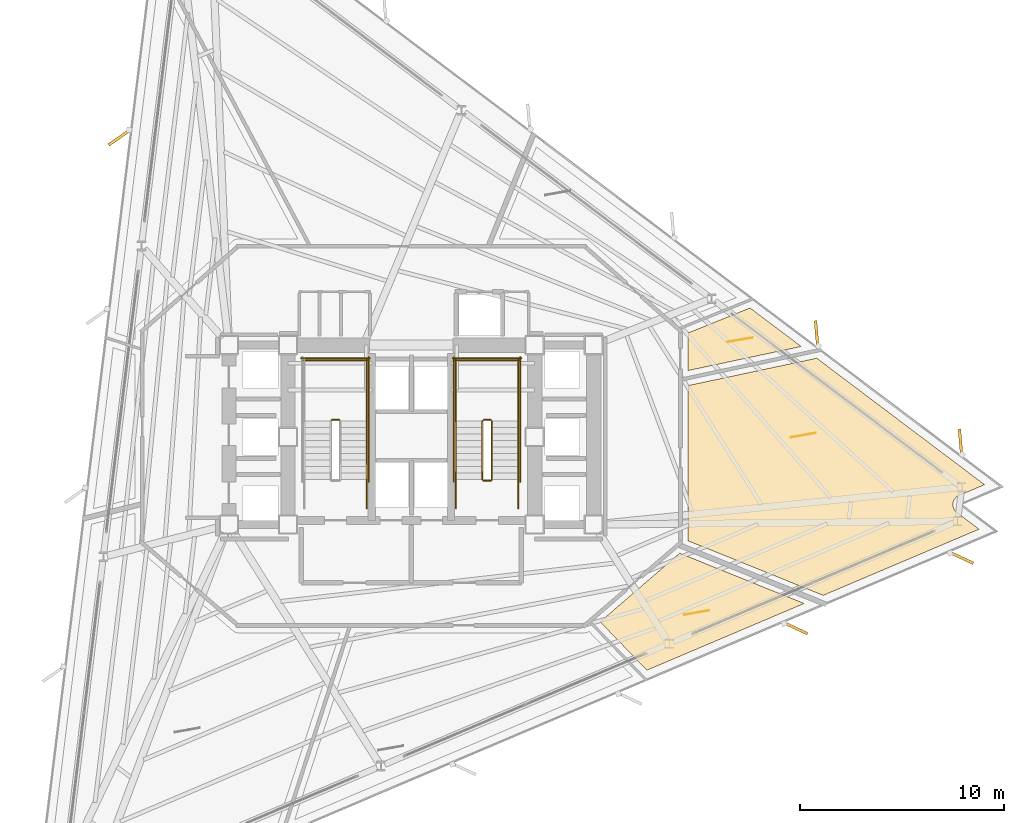
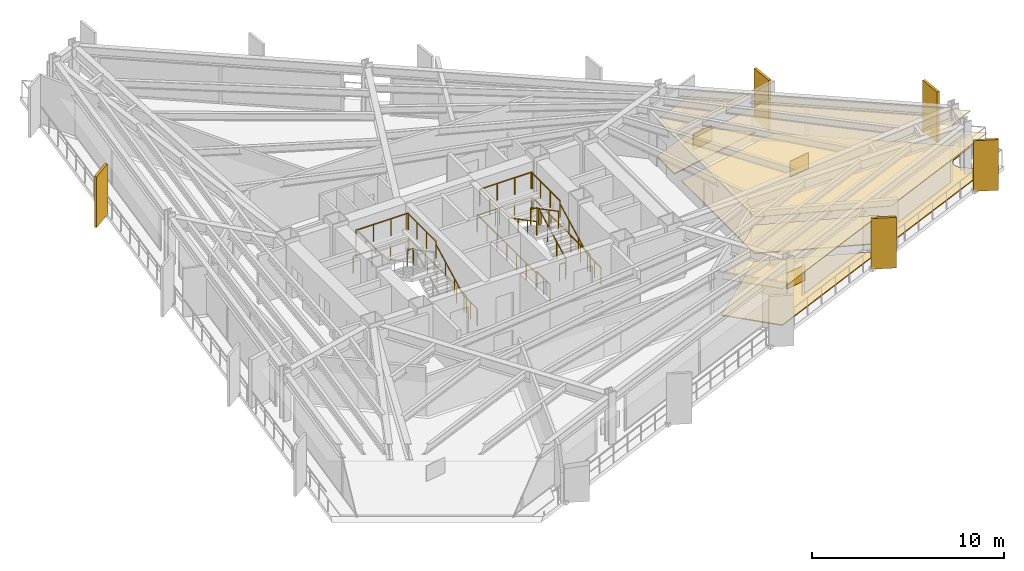
# One storey, part 12 of 13: 21 railings, 9 coverings, 5 shading devices.
"""IFC4 building model written with IfcOpenShell, lengths in metres."""

from ifc_helpers import new_model, si_unit, direction, frame, origin, origin_2d, place, context, subcontext, project, spatial, polyline, rectangle, outline, extrude, material, layer, layer_set, type_object, element, save


model = new_model("IFC4")

# Units and contexts
model_context = context("Model", 3, precision=1e-05, world=origin(), true_north=direction((0.0, 1.0)))
body_context = subcontext(model_context, "Body", "Model", "MODEL_VIEW")
ifc_project = project(units=[si_unit("LENGTHUNIT", "METRE"), si_unit("AREAUNIT", "SQUARE_METRE"), si_unit("VOLUMEUNIT", "CUBIC_METRE"), si_unit("PLANEANGLEUNIT", "RADIAN"), si_unit("MASSUNIT", "GRAM", prefix="KILO")], contexts=[model_context])

# Site, building, storey
site_placement = place(None, origin())
site = spatial("IfcSite", under=ifc_project, at=site_placement, CompositionType="ELEMENT")
building_placement = place(site_placement, origin())
building = spatial("IfcBuilding", under=site, at=building_placement, Name="Rocaltana Carrier Exchange", CompositionType="ELEMENT")
storey_placement = place(building_placement, frame((0.0, 0.0, 52.9599609375)))
storey = spatial("IfcBuildingStorey", under=building, at=storey_placement, Name="L16", CompositionType="ELEMENT", Elevation=52.9599609375)

# Coverings
ifc_material_1 = material(Name="Calcium Sulphate & Aluminium Pedestal", Category="aluminium")
ifc_layer_1 = layer(ifc_material_1, 0.06005859375)
ifc_layer_set_1 = layer_set([ifc_layer_1], Name="Calcium Sulphate & Aluminium Pedestal")
covering_type_1 = type_object("IfcCoveringType", Name="Anti-Static Raised Exchange Access Floor 60", PredefinedType="FLOORING", material=ifc_layer_set_1)
covering_1_placement = place(storey_placement, origin())
element("IfcCovering", 1, at=covering_1_placement, inside=storey, type_object=covering_type_1, Name="L16 Network Engineering Studio Finish Floor", PredefinedType="FLOORING", context=body_context, shape_type="SweptSolid", body=[
    extrude(outline(polyline([(11.553955078125, -11.4462890625), (9.259765625, -9.070556640625), (13.16357421875, -5.706787109375), (19.266357421875, -8.17236328125), (11.553955078125, -11.4462890625)])), origin(), (0.0, 0.0, 1.0), 0.06005859375),
])
covering_2_placement = place(storey_placement, origin())
element("IfcCovering", 2, at=covering_2_placement, inside=storey, type_object=covering_type_1, Name="L16 Peering Conference Room Finish Floor", PredefinedType="FLOORING", context=body_context, shape_type="SweptSolid", body=[
    extrude(outline(polyline([(13.56005859375, -5.09033203125), (13.56005859375, 2.51416015625), (19.8876953125, 3.859130859375), (28.1201171875, -2.344482421875), (26.860107421875, -2.87939453125), (26.847412109375, -2.885009765625), (26.82958984375, -2.893798828125), (26.80517578125, -2.906982421875), (26.7880859375, -2.91748046875), (26.76513671875, -2.933349609375), (26.749267578125, -2.9453125), (26.727783203125, -2.96337890625), (26.71337890625, -2.97705078125), (26.69384765625, -2.9970703125), (26.6806640625, -3.01220703125), (26.663330078125, -3.033935546875), (26.65185546875, -3.050048828125), (26.63671875, -3.073486328125), (26.626708984375, -3.0908203125), (26.614013671875, -3.11572265625), (26.60595703125, -3.134033203125), (26.595703125, -3.159912109375), (26.589599609375, -3.178955078125), (26.58203125, -3.205810546875), (26.57763671875, -3.225341796875), (26.57275390625, -3.252685546875), (26.5703125, -3.2724609375), (26.568359375, -3.30029296875), (26.56787109375, -3.3203125), (26.568603515625, -3.34814453125), (26.5703125, -3.3681640625), (26.57373046875, -3.395751953125), (26.577392578125, -3.415283203125), (26.58349609375, -3.442626953125), (26.589111328125, -3.4619140625), (26.597900390625, -3.48828125), (26.605224609375, -3.5068359375), (26.616943359375, -3.5322265625), (26.6259765625, -3.5498046875), (26.639892578125, -3.573974609375), (26.65087890625, -3.5908203125), (26.667236328125, -3.61328125), (26.6796875, -3.62890625), (26.6982421875, -3.64990234375), (26.712158203125, -3.6640625), (26.732666015625, -3.68310546875), (26.748046875, -3.69580078125), (26.7587890625, -3.70458984375), (27.851806640625, -4.528076171875), (20.20361328125, -7.7744140625), (13.56005859375, -5.09033203125)])), origin(), (0.0, 0.0, 1.0), 0.06005859375),
])
covering_3_placement = place(storey_placement, origin())
element("IfcCovering", 3, at=covering_3_placement, inside=storey, type_object=covering_type_1, Name="L16 Protocol Calibration Laboratory Finish Floor", PredefinedType="FLOORING", context=body_context, shape_type="SweptSolid", body=[
    extrude(outline(polyline([(13.56005859375, 5.09033203125), (16.615478515625, 6.32470703125), (19.125732421875, 4.433349609375), (13.56005859375, 3.250244140625), (13.56005859375, 5.09033203125)])), origin(), (0.0, 0.0, 1.0), 0.06005859375),
])
ifc_material_2 = material(Name="Mineral Fibre & Powder-Coated Aluminium", Category="aluminium")
ifc_layer_2 = layer(ifc_material_2, 0.044921875)
ifc_layer_set_2 = layer_set([ifc_layer_2], Name="Mineral Fibre & Powder-Coated Aluminium")
covering_type_2 = type_object("IfcCoveringType", Name="Micro-Perforated Acoustic Ceiling 45", PredefinedType="CEILING", material=ifc_layer_set_2)
covering_4_placement = place(storey_placement, frame((0.0, 0.0, 2.322998046875)))
element("IfcCovering", 4, at=covering_4_placement, inside=storey, type_object=covering_type_2, Name="L16 Network Engineering Studio Acoustic Ceiling", PredefinedType="CEILING", context=body_context, shape_type="SweptSolid", body=[
    extrude(outline(polyline([(11.553955078125, -11.4462890625), (9.259765625, -9.070556640625), (13.16357421875, -5.706787109375), (19.266357421875, -8.17236328125), (11.553955078125, -11.4462890625)])), origin(), (0.0, 0.0, 1.0), 0.044921875),
])
covering_5_placement = place(storey_placement, frame((0.0, 0.0, 2.322998046875)))
element("IfcCovering", 5, at=covering_5_placement, inside=storey, type_object=covering_type_2, Name="L16 Peering Conference Room Acoustic Ceiling", PredefinedType="CEILING", context=body_context, shape_type="SweptSolid", body=[
    extrude(outline(polyline([(13.56005859375, -5.09033203125), (13.56005859375, 2.51416015625), (19.8876953125, 3.859130859375), (28.1201171875, -2.344482421875), (26.860107421875, -2.87939453125), (26.847412109375, -2.885009765625), (26.82958984375, -2.893798828125), (26.80517578125, -2.906982421875), (26.7880859375, -2.91748046875), (26.76513671875, -2.933349609375), (26.749267578125, -2.9453125), (26.727783203125, -2.96337890625), (26.71337890625, -2.97705078125), (26.69384765625, -2.9970703125), (26.6806640625, -3.01220703125), (26.663330078125, -3.033935546875), (26.65185546875, -3.050048828125), (26.63671875, -3.073486328125), (26.626708984375, -3.0908203125), (26.614013671875, -3.11572265625), (26.60595703125, -3.134033203125), (26.595703125, -3.159912109375), (26.589599609375, -3.178955078125), (26.58203125, -3.205810546875), (26.57763671875, -3.225341796875), (26.57275390625, -3.252685546875), (26.5703125, -3.2724609375), (26.568359375, -3.30029296875), (26.56787109375, -3.3203125), (26.568603515625, -3.34814453125), (26.5703125, -3.3681640625), (26.57373046875, -3.395751953125), (26.577392578125, -3.415283203125), (26.58349609375, -3.442626953125), (26.589111328125, -3.4619140625), (26.597900390625, -3.48828125), (26.605224609375, -3.5068359375), (26.616943359375, -3.5322265625), (26.6259765625, -3.5498046875), (26.639892578125, -3.573974609375), (26.65087890625, -3.5908203125), (26.667236328125, -3.61328125), (26.6796875, -3.62890625), (26.6982421875, -3.64990234375), (26.712158203125, -3.6640625), (26.732666015625, -3.68310546875), (26.748046875, -3.69580078125), (26.7587890625, -3.70458984375), (27.851806640625, -4.528076171875), (20.20361328125, -7.7744140625), (13.56005859375, -5.09033203125)])), origin(), (0.0, 0.0, 1.0), 0.044921875),
])
covering_6_placement = place(storey_placement, frame((0.0, 0.0, 2.322998046875)))
element("IfcCovering", 6, at=covering_6_placement, inside=storey, type_object=covering_type_2, Name="L16 Protocol Calibration Laboratory Acoustic Ceiling", PredefinedType="CEILING", context=body_context, shape_type="SweptSolid", body=[
    extrude(outline(polyline([(13.56005859375, 5.09033203125), (16.615478515625, 6.32470703125), (19.125732421875, 4.433349609375), (13.56005859375, 3.250244140625), (13.56005859375, 5.09033203125)])), origin(), (0.0, 0.0, 1.0), 0.044921875),
])

# Railings
ifc_material_3 = material(Name="Brushed Architectural Stainless Tube", Category="steel")
ifc_layer_3 = layer(ifc_material_3, 0.048095703125)
ifc_layer_set_3 = layer_set([ifc_layer_3], Name="Brushed Architectural Stainless Tube")
railing_type_1 = type_object("IfcRailingType", Name="Stair Wall Handrail 920", PredefinedType="HANDRAIL", material=ifc_layer_set_3)
for number, where, name in (
    (7, (-2.18994140625, -2.10009765625, 0.16796875), "L16 ST-1 stair handrail 1"),
    (8, (5.25, -2.10009765625, 0.16796875), "L16 ST-2 stair handrail 1"),
):
    element("IfcRailing", number, at=place(storey_placement, frame(where)), inside=storey, type_object=railing_type_1, Name=name, PredefinedType="HANDRAIL", context=body_context, shape_type="SweptSolid", body=[
        extrude(rectangle(XDim=0.048095703125, YDim=0.048095703125, at=origin_2d()), frame((0.0, 0.0, 0.8759765625), z_axis=(0.0, 0.885411030485, 0.464808893091), x_axis=(-1.0, 0.0, 0.0)), (0.0, 0.0, 1.0), 3.2529296875),
        extrude(rectangle(XDim=0.0419921875, YDim=0.0419921875, at=origin_2d()), origin(), (0.0, 0.0, 1.0), 0.851806640625),
        extrude(rectangle(XDim=0.0419921875, YDim=0.0419921875, at=origin_2d()), frame((0.0, 0.9599609375, 0.50390625)), (0.0, 0.0, 1.0), 0.851806640625),
        extrude(rectangle(XDim=0.0419921875, YDim=0.0419921875, at=origin_2d()), frame((0.0, 1.920166015625, 1.008056640625)), (0.0, 0.0, 1.0), 0.851806640625),
        extrude(rectangle(XDim=0.0419921875, YDim=0.0419921875, at=origin_2d()), frame((0.0, 2.880126953125, 1.511962890625)), (0.0, 0.0, 1.0), 0.851806640625),
    ])
railing_1_placement = place(storey_placement, frame((2.18994140625, 0.780029296875, 1.84814453125)))
element("IfcRailing", 9, at=railing_1_placement, inside=storey, type_object=railing_type_1, Name="L16 ST-2 stair handrail 2", PredefinedType="HANDRAIL", context=body_context, shape_type="SweptSolid", body=[
    extrude(rectangle(XDim=0.048095703125, YDim=0.048095703125, at=origin_2d()), frame((0.0, 0.0, 0.8759765625), z_axis=(0.0, -0.885411030485, 0.464808893091), x_axis=(1.0, 0.0, 0.0)), (0.0, 0.0, 1.0), 3.2529296875),
    extrude(rectangle(XDim=0.0419921875, YDim=0.0419921875, at=origin_2d()), origin(), (0.0, 0.0, 1.0), 0.851806640625),
    extrude(rectangle(XDim=0.0419921875, YDim=0.0419921875, at=origin_2d()), frame((0.0, -0.9599609375, 0.50390625)), (0.0, 0.0, 1.0), 0.851806640625),
    extrude(rectangle(XDim=0.0419921875, YDim=0.0419921875, at=origin_2d()), frame((0.0, -1.920166015625, 1.008056640625)), (0.0, 0.0, 1.0), 0.851806640625),
    extrude(rectangle(XDim=0.0419921875, YDim=0.0419921875, at=origin_2d()), frame((0.0, -2.880126953125, 1.511962890625)), (0.0, 0.0, 1.0), 0.851806640625),
])
ifc_material_4 = material(Name="Powder-Coated Aluminium 6063-T6", Category="aluminium")
ifc_layer_4 = layer(ifc_material_4, 0.048095703125)
ifc_layer_set_4 = layer_set([ifc_layer_4], Name="Powder-Coated Aluminium 6063-T6")
railing_type_2 = type_object("IfcRailingType", Name="Stair Well Guardrail 1100", PredefinedType="GUARDRAIL", material=ifc_layer_set_4)
railing_2_placement = place(storey_placement, frame((-3.5400390625, 0.830078125, 1.679931640625)))
element("IfcRailing", 10, at=railing_2_placement, inside=storey, type_object=railing_type_2, Name="L16 ST-1 stair guard 2", PredefinedType="GUARDRAIL", context=body_context, shape_type="SweptSolid", body=[
    extrude(rectangle(XDim=0.048095703125, YDim=0.048095703125, at=origin_2d()), frame((0.0, 0.0, 1.076171875), z_axis=(-1.0, 0.0, 0.0), x_axis=(0.0, -1.0, 0.0)), (0.0, 0.0, 1.0), 0.35986328125),
    extrude(rectangle(XDim=0.0419921875, YDim=0.0419921875, at=origin_2d()), origin(), (0.0, 0.0, 1.0), 1.052001953125),
    extrude(rectangle(XDim=0.0419921875, YDim=0.0419921875, at=origin_2d()), frame((-0.35986328125, 0.0, 0.0)), (0.0, 0.0, 1.0), 1.052001953125),
])
railing_3_placement = place(storey_placement, frame((-2.18994140625, 0.780029296875, 1.679931640625)))
element("IfcRailing", 11, at=railing_3_placement, inside=storey, type_object=railing_type_2, Name="L16 ST-1 stair guard 3", PredefinedType="GUARDRAIL", context=body_context, shape_type="SweptSolid", body=[
    extrude(rectangle(XDim=0.048095703125, YDim=0.048095703125, at=origin_2d()), frame((0.0, 0.0, 1.076171875), z_axis=(0.0, 1.0, 0.0), x_axis=(-1.0, 0.0, 0.0)), (0.0, 0.0, 1.0), 3.02001953125),
    extrude(rectangle(XDim=0.0419921875, YDim=0.0419921875, at=origin_2d()), origin(), (0.0, 0.0, 1.0), 1.052001953125),
    extrude(rectangle(XDim=0.0419921875, YDim=0.0419921875, at=origin_2d()), frame((0.0, 1.006591796875, 0.0)), (0.0, 0.0, 1.0), 1.052001953125),
    extrude(rectangle(XDim=0.0419921875, YDim=0.0419921875, at=origin_2d()), frame((0.0, 2.013427734375, 0.0)), (0.0, 0.0, 1.0), 1.052001953125),
    extrude(rectangle(XDim=0.0419921875, YDim=0.0419921875, at=origin_2d()), frame((0.0, 3.02001953125, 0.0)), (0.0, 0.0, 1.0), 1.052001953125),
])
railing_4_placement = place(storey_placement, frame((-2.139892578125, 3.75, 1.679931640625)))
element("IfcRailing", 12, at=railing_4_placement, inside=storey, type_object=railing_type_2, Name="L16 ST-1 stair guard 5", PredefinedType="GUARDRAIL", context=body_context, shape_type="SweptSolid", body=[
    extrude(rectangle(XDim=0.048095703125, YDim=0.048095703125, at=origin_2d()), frame((0.0, 0.0, 1.076171875), z_axis=(-1.0, 0.0, 0.0), x_axis=(0.0, -1.0, 0.0)), (0.0, 0.0, 1.0), 3.16015625),
    extrude(rectangle(XDim=0.0419921875, YDim=0.0419921875, at=origin_2d()), origin(), (0.0, 0.0, 1.0), 1.052001953125),
    extrude(rectangle(XDim=0.0419921875, YDim=0.0419921875, at=origin_2d()), frame((-1.053466796875, 0.0, 0.0)), (0.0, 0.0, 1.0), 1.052001953125),
    extrude(rectangle(XDim=0.0419921875, YDim=0.0419921875, at=origin_2d()), frame((-2.106689453125, 0.0, 0.0)), (0.0, 0.0, 1.0), 1.052001953125),
    extrude(rectangle(XDim=0.0419921875, YDim=0.0419921875, at=origin_2d()), frame((-3.16015625, 0.0, 0.0)), (0.0, 0.0, 1.0), 1.052001953125),
])
railing_5_placement = place(storey_placement, frame((-2.18994140625, -3.5, 0.0)))
element("IfcRailing", 13, at=railing_5_placement, inside=storey, type_object=railing_type_2, Name="L16 ST-1 stair guard 8", PredefinedType="GUARDRAIL", context=body_context, shape_type="SweptSolid", body=[
    extrude(rectangle(XDim=0.048095703125, YDim=0.048095703125, at=origin_2d()), frame((0.0, 0.0, 1.076171875), z_axis=(0.0, 1.0, 0.0), x_axis=(-1.0, 0.0, 0.0)), (0.0, 0.0, 1.0), 1.39990234375),
    extrude(rectangle(XDim=0.0419921875, YDim=0.0419921875, at=origin_2d()), origin(), (0.0, 0.0, 1.0), 1.052001953125),
    extrude(rectangle(XDim=0.0419921875, YDim=0.0419921875, at=origin_2d()), frame((0.0, 0.699951171875, 0.0)), (0.0, 0.0, 1.0), 1.052001953125),
    extrude(rectangle(XDim=0.0419921875, YDim=0.0419921875, at=origin_2d()), frame((0.0, 1.39990234375, 0.0)), (0.0, 0.0, 1.0), 1.052001953125),
])
railing_6_placement = place(storey_placement, frame((-2.090087890625, -2.199951171875, 0.0)))
element("IfcRailing", 14, at=railing_6_placement, inside=storey, type_object=railing_type_2, Name="L16 ST-1 stair guard 10", PredefinedType="GUARDRAIL", context=body_context, shape_type="SweptSolid", body=[
    extrude(rectangle(XDim=0.048095703125, YDim=0.048095703125, at=origin_2d()), frame((0.0, 0.0, 1.076171875), z_axis=(0.0, 1.0, 0.0), x_axis=(-1.0, 0.0, 0.0)), (0.0, 0.0, 1.0), 6.099853515625),
    extrude(rectangle(XDim=0.0419921875, YDim=0.0419921875, at=origin_2d()), origin(), (0.0, 0.0, 1.0), 1.052001953125),
    extrude(rectangle(XDim=0.0419921875, YDim=0.0419921875, at=origin_2d()), frame((0.0, 1.0166015625, 0.0)), (0.0, 0.0, 1.0), 1.052001953125),
    extrude(rectangle(XDim=0.0419921875, YDim=0.0419921875, at=origin_2d()), frame((0.0, 2.033203125, 0.0)), (0.0, 0.0, 1.0), 1.052001953125),
    extrude(rectangle(XDim=0.0419921875, YDim=0.0419921875, at=origin_2d()), frame((0.0, 3.0498046875, 0.0)), (0.0, 0.0, 1.0), 1.052001953125),
    extrude(rectangle(XDim=0.0419921875, YDim=0.0419921875, at=origin_2d()), frame((0.0, 4.066650390625, 0.0)), (0.0, 0.0, 1.0), 1.052001953125),
    extrude(rectangle(XDim=0.0419921875, YDim=0.0419921875, at=origin_2d()), frame((0.0, 5.083251953125, 0.0)), (0.0, 0.0, 1.0), 1.052001953125),
    extrude(rectangle(XDim=0.0419921875, YDim=0.0419921875, at=origin_2d()), frame((0.0, 6.099853515625, 0.0)), (0.0, 0.0, 1.0), 1.052001953125),
])
railing_7_placement = place(storey_placement, frame((-2.0400390625, 3.85009765625, 0.0)))
element("IfcRailing", 15, at=railing_7_placement, inside=storey, type_object=railing_type_2, Name="L16 ST-1 stair guard 12", PredefinedType="GUARDRAIL", context=body_context, shape_type="SweptSolid", body=[
    extrude(rectangle(XDim=0.048095703125, YDim=0.048095703125, at=origin_2d()), frame((0.0, 0.0, 1.076171875), z_axis=(-1.0, 0.0, 0.0), x_axis=(0.0, -1.0, 0.0)), (0.0, 0.0, 1.0), 3.35986328125),
    extrude(rectangle(XDim=0.0419921875, YDim=0.0419921875, at=origin_2d()), origin(), (0.0, 0.0, 1.0), 1.052001953125),
    extrude(rectangle(XDim=0.0419921875, YDim=0.0419921875, at=origin_2d()), frame((-1.119873046875, 0.0, 0.0)), (0.0, 0.0, 1.0), 1.052001953125),
    extrude(rectangle(XDim=0.0419921875, YDim=0.0419921875, at=origin_2d()), frame((-2.239990234375, 0.0, 0.0)), (0.0, 0.0, 1.0), 1.052001953125),
    extrude(rectangle(XDim=0.0419921875, YDim=0.0419921875, at=origin_2d()), frame((-3.35986328125, 0.0, 0.0)), (0.0, 0.0, 1.0), 1.052001953125),
])
railing_8_placement = place(storey_placement, frame((3.949951171875, -2.10009765625, 0.16796875)))
element("IfcRailing", 16, at=railing_8_placement, inside=storey, type_object=railing_type_2, Name="L16 ST-2 stair guard 1", PredefinedType="GUARDRAIL", context=body_context, shape_type="SweptSolid", body=[
    extrude(rectangle(XDim=0.048095703125, YDim=0.048095703125, at=origin_2d()), frame((0.0, 0.0, 1.076171875), z_axis=(0.0, 0.885411030485, 0.464808893091), x_axis=(-1.0, 0.0, 0.0)), (0.0, 0.0, 1.0), 3.2529296875),
    extrude(rectangle(XDim=0.0419921875, YDim=0.0419921875, at=origin_2d()), origin(), (0.0, 0.0, 1.0), 1.052001953125),
    extrude(rectangle(XDim=0.0419921875, YDim=0.0419921875, at=origin_2d()), frame((0.0, 0.9599609375, 0.50390625)), (0.0, 0.0, 1.0), 1.052001953125),
    extrude(rectangle(XDim=0.0419921875, YDim=0.0419921875, at=origin_2d()), frame((0.0, 1.920166015625, 1.008056640625)), (0.0, 0.0, 1.0), 1.052001953125),
    extrude(rectangle(XDim=0.0419921875, YDim=0.0419921875, at=origin_2d()), frame((0.0, 2.880126953125, 1.511962890625)), (0.0, 0.0, 1.0), 1.052001953125),
])
railing_9_placement = place(storey_placement, frame((3.89990234375, 0.830078125, 1.679931640625)))
element("IfcRailing", 17, at=railing_9_placement, inside=storey, type_object=railing_type_2, Name="L16 ST-2 stair guard 2", PredefinedType="GUARDRAIL", context=body_context, shape_type="SweptSolid", body=[
    extrude(rectangle(XDim=0.048095703125, YDim=0.048095703125, at=origin_2d()), frame((0.0, 0.0, 1.076171875), z_axis=(-1.0, 0.0, 0.0), x_axis=(0.0, -1.0, 0.0)), (0.0, 0.0, 1.0), 0.35986328125),
    extrude(rectangle(XDim=0.0419921875, YDim=0.0419921875, at=origin_2d()), origin(), (0.0, 0.0, 1.0), 1.052001953125),
    extrude(rectangle(XDim=0.0419921875, YDim=0.0419921875, at=origin_2d()), frame((-0.35986328125, 0.0, 0.0)), (0.0, 0.0, 1.0), 1.052001953125),
])
for number, where, name in (
    (18, (5.25, 0.780029296875, 1.679931640625), "L16 ST-2 stair guard 3"),
    (19, (2.18994140625, 0.780029296875, 1.679931640625), "L16 ST-2 stair guard 4"),
):
    element("IfcRailing", number, at=place(storey_placement, frame(where)), inside=storey, type_object=railing_type_2, Name=name, PredefinedType="GUARDRAIL", context=body_context, shape_type="SweptSolid", body=[
        extrude(rectangle(XDim=0.048095703125, YDim=0.048095703125, at=origin_2d()), frame((0.0, 0.0, 1.076171875), z_axis=(0.0, 1.0, 0.0), x_axis=(-1.0, 0.0, 0.0)), (0.0, 0.0, 1.0), 3.02001953125),
        extrude(rectangle(XDim=0.0419921875, YDim=0.0419921875, at=origin_2d()), origin(), (0.0, 0.0, 1.0), 1.052001953125),
        extrude(rectangle(XDim=0.0419921875, YDim=0.0419921875, at=origin_2d()), frame((0.0, 1.006591796875, 0.0)), (0.0, 0.0, 1.0), 1.052001953125),
        extrude(rectangle(XDim=0.0419921875, YDim=0.0419921875, at=origin_2d()), frame((0.0, 2.013427734375, 0.0)), (0.0, 0.0, 1.0), 1.052001953125),
        extrude(rectangle(XDim=0.0419921875, YDim=0.0419921875, at=origin_2d()), frame((0.0, 3.02001953125, 0.0)), (0.0, 0.0, 1.0), 1.052001953125),
    ])
railing_10_placement = place(storey_placement, frame((5.300048828125, 3.75, 1.679931640625)))
element("IfcRailing", 20, at=railing_10_placement, inside=storey, type_object=railing_type_2, Name="L16 ST-2 stair guard 5", PredefinedType="GUARDRAIL", context=body_context, shape_type="SweptSolid", body=[
    extrude(rectangle(XDim=0.048095703125, YDim=0.048095703125, at=origin_2d()), frame((0.0, 0.0, 1.076171875), z_axis=(-1.0, 0.0, 0.0), x_axis=(0.0, -1.0, 0.0)), (0.0, 0.0, 1.0), 3.16015625),
    extrude(rectangle(XDim=0.0419921875, YDim=0.0419921875, at=origin_2d()), origin(), (0.0, 0.0, 1.0), 1.052001953125),
    extrude(rectangle(XDim=0.0419921875, YDim=0.0419921875, at=origin_2d()), frame((-1.053466796875, 0.0, 0.0)), (0.0, 0.0, 1.0), 1.052001953125),
    extrude(rectangle(XDim=0.0419921875, YDim=0.0419921875, at=origin_2d()), frame((-2.106689453125, 0.0, 0.0)), (0.0, 0.0, 1.0), 1.052001953125),
    extrude(rectangle(XDim=0.0419921875, YDim=0.0419921875, at=origin_2d()), frame((-3.16015625, 0.0, 0.0)), (0.0, 0.0, 1.0), 1.052001953125),
])
railing_11_placement = place(storey_placement, frame((3.489990234375, 0.780029296875, 1.84814453125)))
element("IfcRailing", 21, at=railing_11_placement, inside=storey, type_object=railing_type_2, Name="L16 ST-2 stair guard 6", PredefinedType="GUARDRAIL", context=body_context, shape_type="SweptSolid", body=[
    extrude(rectangle(XDim=0.048095703125, YDim=0.048095703125, at=origin_2d()), frame((0.0, 0.0, 1.076171875), z_axis=(0.0, -0.885411030485, 0.464808893091), x_axis=(1.0, 0.0, 0.0)), (0.0, 0.0, 1.0), 3.2529296875),
    extrude(rectangle(XDim=0.0419921875, YDim=0.0419921875, at=origin_2d()), origin(), (0.0, 0.0, 1.0), 1.052001953125),
    extrude(rectangle(XDim=0.0419921875, YDim=0.0419921875, at=origin_2d()), frame((0.0, -0.9599609375, 0.50390625)), (0.0, 0.0, 1.0), 1.052001953125),
    extrude(rectangle(XDim=0.0419921875, YDim=0.0419921875, at=origin_2d()), frame((0.0, -1.920166015625, 1.008056640625)), (0.0, 0.0, 1.0), 1.052001953125),
    extrude(rectangle(XDim=0.0419921875, YDim=0.0419921875, at=origin_2d()), frame((0.0, -2.880126953125, 1.511962890625)), (0.0, 0.0, 1.0), 1.052001953125),
])
railing_12_placement = place(storey_placement, frame((3.89990234375, -2.14990234375, 0.0)))
element("IfcRailing", 22, at=railing_12_placement, inside=storey, type_object=railing_type_2, Name="L16 ST-2 stair guard 7", PredefinedType="GUARDRAIL", context=body_context, shape_type="SweptSolid", body=[
    extrude(rectangle(XDim=0.048095703125, YDim=0.048095703125, at=origin_2d()), frame((0.0, 0.0, 1.076171875), z_axis=(-1.0, 0.0, 0.0), x_axis=(0.0, -1.0, 0.0)), (0.0, 0.0, 1.0), 0.35986328125),
    extrude(rectangle(XDim=0.0419921875, YDim=0.0419921875, at=origin_2d()), origin(), (0.0, 0.0, 1.0), 1.052001953125),
    extrude(rectangle(XDim=0.0419921875, YDim=0.0419921875, at=origin_2d()), frame((-0.35986328125, 0.0, 0.0)), (0.0, 0.0, 1.0), 1.052001953125),
])
for number, where, name in (
    (23, (5.25, -3.5, 0.0), "L16 ST-2 stair guard 8"),
    (24, (2.18994140625, -3.5, 0.0), "L16 ST-2 stair guard 9"),
):
    element("IfcRailing", number, at=place(storey_placement, frame(where)), inside=storey, type_object=railing_type_2, Name=name, PredefinedType="GUARDRAIL", context=body_context, shape_type="SweptSolid", body=[
        extrude(rectangle(XDim=0.048095703125, YDim=0.048095703125, at=origin_2d()), frame((0.0, 0.0, 1.076171875), z_axis=(0.0, 1.0, 0.0), x_axis=(-1.0, 0.0, 0.0)), (0.0, 0.0, 1.0), 1.39990234375),
        extrude(rectangle(XDim=0.0419921875, YDim=0.0419921875, at=origin_2d()), origin(), (0.0, 0.0, 1.0), 1.052001953125),
        extrude(rectangle(XDim=0.0419921875, YDim=0.0419921875, at=origin_2d()), frame((0.0, 0.699951171875, 0.0)), (0.0, 0.0, 1.0), 1.052001953125),
        extrude(rectangle(XDim=0.0419921875, YDim=0.0419921875, at=origin_2d()), frame((0.0, 1.39990234375, 0.0)), (0.0, 0.0, 1.0), 1.052001953125),
    ])
for number, where, name in (
    (25, (5.35009765625, -2.199951171875, 0.0), "L16 ST-2 stair guard 10"),
    (26, (2.090087890625, -2.199951171875, 0.0), "L16 ST-2 stair guard 11"),
):
    element("IfcRailing", number, at=place(storey_placement, frame(where)), inside=storey, type_object=railing_type_2, Name=name, PredefinedType="GUARDRAIL", context=body_context, shape_type="SweptSolid", body=[
        extrude(rectangle(XDim=0.048095703125, YDim=0.048095703125, at=origin_2d()), frame((0.0, 0.0, 1.076171875), z_axis=(0.0, 1.0, 0.0), x_axis=(-1.0, 0.0, 0.0)), (0.0, 0.0, 1.0), 6.099853515625),
        extrude(rectangle(XDim=0.0419921875, YDim=0.0419921875, at=origin_2d()), origin(), (0.0, 0.0, 1.0), 1.052001953125),
        extrude(rectangle(XDim=0.0419921875, YDim=0.0419921875, at=origin_2d()), frame((0.0, 1.0166015625, 0.0)), (0.0, 0.0, 1.0), 1.052001953125),
        extrude(rectangle(XDim=0.0419921875, YDim=0.0419921875, at=origin_2d()), frame((0.0, 2.033203125, 0.0)), (0.0, 0.0, 1.0), 1.052001953125),
        extrude(rectangle(XDim=0.0419921875, YDim=0.0419921875, at=origin_2d()), frame((0.0, 3.0498046875, 0.0)), (0.0, 0.0, 1.0), 1.052001953125),
        extrude(rectangle(XDim=0.0419921875, YDim=0.0419921875, at=origin_2d()), frame((0.0, 4.066650390625, 0.0)), (0.0, 0.0, 1.0), 1.052001953125),
        extrude(rectangle(XDim=0.0419921875, YDim=0.0419921875, at=origin_2d()), frame((0.0, 5.083251953125, 0.0)), (0.0, 0.0, 1.0), 1.052001953125),
        extrude(rectangle(XDim=0.0419921875, YDim=0.0419921875, at=origin_2d()), frame((0.0, 6.099853515625, 0.0)), (0.0, 0.0, 1.0), 1.052001953125),
    ])
railing_13_placement = place(storey_placement, frame((5.39990234375, 3.85009765625, 0.0)))
element("IfcRailing", 27, at=railing_13_placement, inside=storey, type_object=railing_type_2, Name="L16 ST-2 stair guard 12", PredefinedType="GUARDRAIL", context=body_context, shape_type="SweptSolid", body=[
    extrude(rectangle(XDim=0.048095703125, YDim=0.048095703125, at=origin_2d()), frame((0.0, 0.0, 1.076171875), z_axis=(-1.0, 0.0, 0.0), x_axis=(0.0, -1.0, 0.0)), (0.0, 0.0, 1.0), 3.35986328125),
    extrude(rectangle(XDim=0.0419921875, YDim=0.0419921875, at=origin_2d()), origin(), (0.0, 0.0, 1.0), 1.052001953125),
    extrude(rectangle(XDim=0.0419921875, YDim=0.0419921875, at=origin_2d()), frame((-1.119873046875, 0.0, 0.0)), (0.0, 0.0, 1.0), 1.052001953125),
    extrude(rectangle(XDim=0.0419921875, YDim=0.0419921875, at=origin_2d()), frame((-2.239990234375, 0.0, 0.0)), (0.0, 0.0, 1.0), 1.052001953125),
    extrude(rectangle(XDim=0.0419921875, YDim=0.0419921875, at=origin_2d()), frame((-3.35986328125, 0.0, 0.0)), (0.0, 0.0, 1.0), 1.052001953125),
])

# Coverings
ifc_material_5 = material(Name="Honed Piedra Muneca Sandstone", Category="masonry")
ifc_layer_5 = layer(ifc_material_5, 0.034912109375)
ifc_layer_set_5 = layer_set([ifc_layer_5], Name="Honed Piedra Muneca Sandstone")
covering_type_3 = type_object("IfcCoveringType", Name="Stone Facade Cladding 35", PredefinedType="CLADDING", material=ifc_layer_set_5)
for number, where, z_axis, x_axis, name in (
    (28, (13.99462890625, -8.62158203125, 0.0), (0.0, 0.0, 1.0), (0.984807753012, 0.173648177667, 0.0), "L16 Stone Facade Cladding Panel 3"),
    (29, (19.22802734375, 0.0849609375, 0.0), (0.0, 0.0, 1.0), (0.984807753012, 0.173648177667, 0.0), "L16 Stone Facade Cladding Panel 4"),
    (30, (16.125, 4.76171875, 0.0), (0.0, 0.0, 1.0), (0.984807753012, 0.173648177667, 0.0), "L16 Stone Facade Cladding Panel 5"),
):
    element("IfcCovering", number, at=place(storey_placement, frame(where, z_axis=z_axis, x_axis=x_axis)), inside=storey, type_object=covering_type_3, Name=name, PredefinedType="CLADDING", context=body_context, shape_type="SweptSolid", body=[
        extrude(rectangle(XDim=1.25, YDim=0.034912109375, at=origin_2d()), origin(), (0.0, 0.0, 1.0), 1.050048828125),
    ])

# Shading devices
ifc_material_6 = material(Name="Honed Bogota Sandstone & Concrete C45/55", Category="masonry")
ifc_layer_6 = layer(ifc_material_6, 0.139892578125)
ifc_layer_set_6 = layer_set([ifc_layer_6], Name="Honed Bogota Sandstone & Concrete C45/55")
shading_device_type = type_object("IfcShadingDeviceType", Name="Vertical Sandstone Shading Fin 1320x140", PredefinedType="USERDEFINED", material=ifc_layer_set_6)
for number, where, z_axis, x_axis, name in (
    (31, (26.9423828125, -0.279052734375, -0.1201171875), (0.0, 0.0, 1.0), (-0.087155742748, 0.996194698092, 0.0), "L16 Sandstone Vertical Fin F1-01"),
    (32, (19.882568359375, 5.041015625, -0.1201171875), (0.0, 0.0, 1.0), (-0.087155742748, 0.996194698092, 0.0), "L16 Sandstone Vertical Fin F1-02"),
    (33, (-14.306884765625, 14.6982421875, -0.1201171875), (0.0, 0.0, 1.0), (-0.819152044289, -0.573576436351, 0.0), "L16 Sandstone Vertical Fin F2-02"),
    (34, (18.836181640625, -9.376953125, -0.1201171875), (0.0, 0.0, 1.0), (0.906307787037, -0.422618261741, 0.0), "L16 Sandstone Vertical Fin F3-05"),
    (35, (26.973388671875, -5.923095703125, -0.1201171875), (0.0, 0.0, 1.0), (0.906307787037, -0.422618261741, 0.0), "L16 Sandstone Vertical Fin F3-06"),
):
    element("IfcShadingDevice", number, at=place(storey_placement, frame(where, z_axis=z_axis, x_axis=x_axis)), inside=storey, type_object=shading_device_type, Name=name, ObjectType="FIN", PredefinedType="USERDEFINED", context=body_context, shape_type="SweptSolid", body=[
        extrude(rectangle(XDim=1.320068359375, YDim=0.139892578125, at=origin_2d()), origin(), (0.0, 0.0, 1.0), 3.218017578125),
    ])

save(model, "model.ifc")
